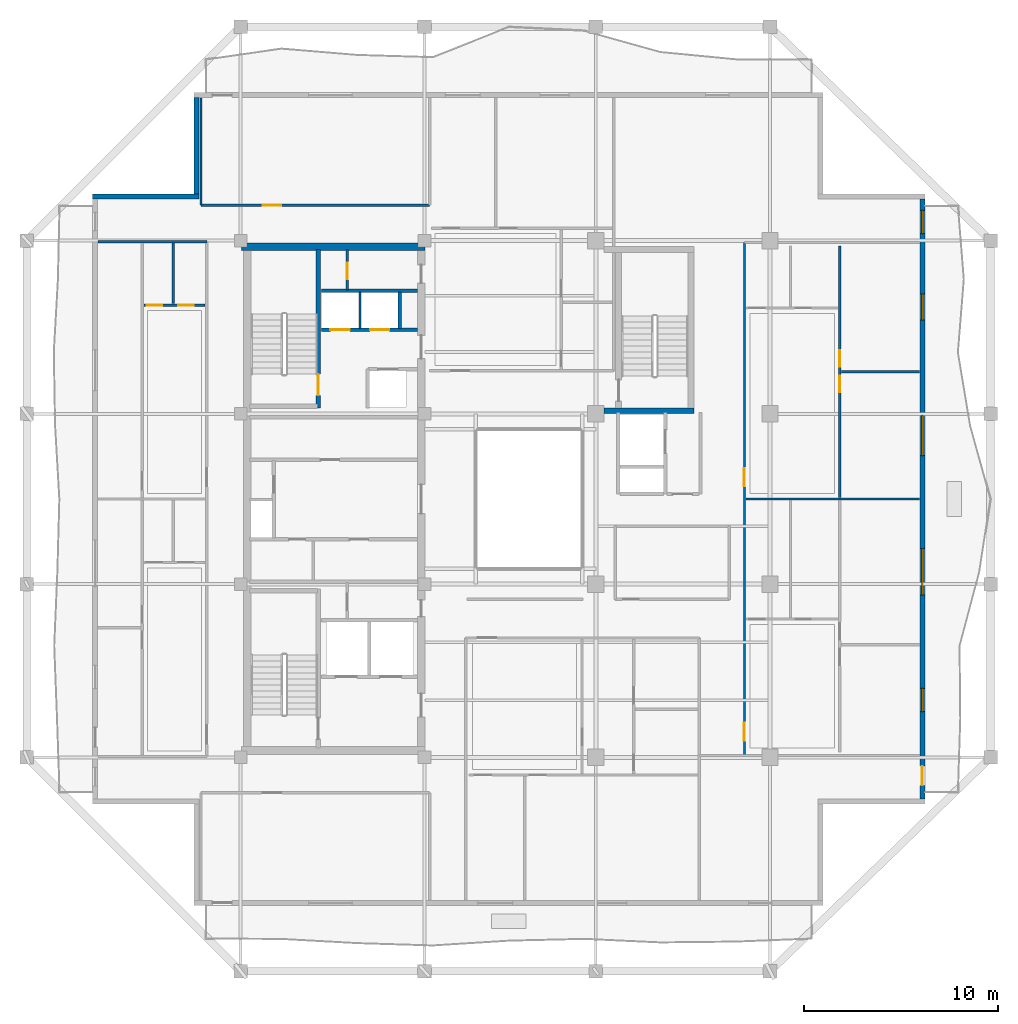
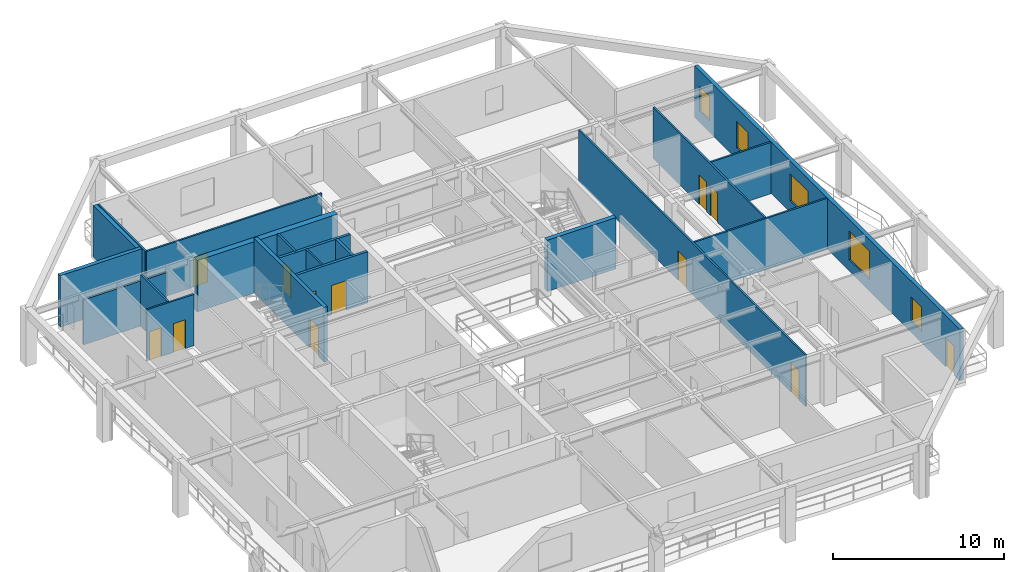
# One storey, part 5 of 11: 20 walls, 12 doors, 5 windows, 17 openings.
"""IFC4 building model written with IfcOpenShell, lengths in metres."""

from ifc_helpers import new_model, si_unit, direction, frame, frame_2d, origin, place, context, subcontext, project, spatial, rectangle, extrude, material, layer, layer_set, type_object, element, fill, save


model = new_model("IFC4")

# Units and contexts
model_context = context("Model", 3, precision=1e-05, world=origin(), true_north=direction((0.0, 1.0)))
body_context = subcontext(model_context, "Body", "Model", "MODEL_VIEW")
ifc_project = project(units=[si_unit("LENGTHUNIT", "METRE"), si_unit("AREAUNIT", "SQUARE_METRE"), si_unit("VOLUMEUNIT", "CUBIC_METRE"), si_unit("PLANEANGLEUNIT", "RADIAN"), si_unit("MASSUNIT", "GRAM", prefix="KILO")], contexts=[model_context])

# Site, building, storey
site_placement = place(None, origin())
site = spatial("IfcSite", under=ifc_project, at=site_placement, CompositionType="ELEMENT")
building_placement = place(site_placement, origin())
building = spatial("IfcBuilding", under=site, at=building_placement, Name="Kundavana Baori Tower", CompositionType="ELEMENT")
storey_placement = place(building_placement, frame((0.0, 0.0, 218.0)))
storey = spatial("IfcBuildingStorey", under=building, at=storey_placement, Name="L53", CompositionType="ELEMENT", Elevation=218.0)

# Wall
ifc_material_1 = material(Name="Concrete C50/60", Category="concrete")
ifc_layer_1 = layer(ifc_material_1, 0.39990234375, Name="WL-CORE-400")
ifc_layer_set_1 = layer_set([ifc_layer_1], Name="Concrete C50/60")
wall_type_1 = type_object("IfcWallType", Name="WL-CORE-400", PredefinedType="SHEAR", material=ifc_layer_set_1)
wall_1_placement = place(storey_placement, frame((15.5, 41.639892578125, 0.0), z_axis=(0.0, 0.0, 1.0), x_axis=(1.0, 0.0, 0.0)))
element("IfcWall", 1, at=wall_1_placement, inside=storey, type_object=wall_type_1, Name="L53 Offset Core North Shear Wall", PredefinedType="SHEAR", context=body_context, shape_type="SweptSolid", body=[
    extrude(rectangle(XDim=9.47998046875, YDim=0.39990234375, at=frame_2d((4.739990234375, 0.0))), origin(), (0.0, 0.0, 1.0), 3.659912109375),
])

# Wall, opening, door
wall_2_placement = place(storey_placement, frame((19.4599609375, 33.300048828125, 0.0), z_axis=(0.0, 0.0, 1.0), x_axis=(0.0, 1.0, 0.0)))
wall_2 = element("IfcWall", 2, at=wall_2_placement, inside=storey, type_object=wall_type_1, Name="WL-L53-ST2-E", PredefinedType="SHEAR", context=body_context, shape_type="SweptSolid", body=[
    extrude(rectangle(XDim=8.179931640625, YDim=0.239990234375, at=frame_2d((4.08984375, 0.0))), origin(), (0.0, 0.0, 1.0), 3.89990234375),
])
opening_1_placement = place(wall_2_placement, frame((0.64990234375, 0.0, 0.0)))
opening_1 = element("IfcOpeningElement", 3, at=opening_1_placement, cuts=wall_2, Name="Opening FD-110", PredefinedType="OPENING", context=body_context, shape_type="SweptSolid", body=[
    extrude(rectangle(XDim=1.10009765625, YDim=2.10009765625, at=frame_2d((0.550048828125, 1.050048828125))), frame((0.0, 0.1298828125, 0.0), z_axis=(0.0, -1.0, 0.0), x_axis=(1.0, 0.0, 0.0)), (0.0, 0.0, 1.0), 0.260009765625),
])
ifc_material_2 = material(Name="Galvanised Steel Fire-Rated Door Leaf", Category="steel")
door_type_1 = type_object("IfcDoorType", Name="DR-FD120-1100", OperationType="NOTDEFINED", PredefinedType="DOOR", material=ifc_material_2)
door_1_placement = place(opening_1_placement, origin())
door_1 = element("IfcDoor", 4, at=door_1_placement, inside=storey, type_object=door_type_1, Name="DR-L53-ST2", OperationType="SINGLE_SWING_RIGHT", OverallHeight=2.10009765625, OverallWidth=1.10009765625, PredefinedType="DOOR", context=body_context, shape_type="SweptSolid", body=[
    extrude(rectangle(XDim=1.10009765625, YDim=2.10009765625, at=frame_2d((0.550048828125, 1.050048828125))), frame((0.0, 0.02490234375, 0.0), z_axis=(0.0, -1.0, 0.0), x_axis=(1.0, 0.0, 0.0)), (0.0, 0.0, 1.0), 0.050048828125),
])
fill(opening_1, door_1)

# Wall, openings, door, windows
ifc_material_3 = material(Name="Kiln-Fired Terracotta Brick-Slip Masonry on Concrete C40/50", Category="masonry")
ifc_layer_2 = layer(ifc_material_3, 0.260009765625, Name="WL-EXT-BRK-260")
ifc_layer_set_2 = layer_set([ifc_layer_2], Name="Kiln-Fired Terracotta Brick-Slip Masonry on Concrete C40/50")
wall_type_2 = type_object("IfcWallType", Name="WL-EXT-BRK-260", PredefinedType="SOLIDWALL", material=ifc_layer_set_2)
wall_3_placement = place(storey_placement, frame((50.669921875, 13.110107421875, 0.0), z_axis=(0.0, 0.0, 1.0), x_axis=(0.0, 1.0, 0.0)))
wall_3 = element("IfcWall", 5, at=wall_3_placement, inside=storey, type_object=wall_type_2, Name="L53 Exterior Insulated Facade Wall 04", PredefinedType="SOLIDWALL", context=body_context, shape_type="SweptSolid", body=[
    extrude(rectangle(XDim=30.97998046875, YDim=0.260009765625, at=frame_2d((15.489990234375, 0.0))), origin(), (0.0, 0.0, 1.0), 3.659912109375),
])
opening_2_placement = place(wall_3_placement, frame((0.68994140625, 0.0, 0.0)))
opening_2 = element("IfcOpeningElement", 6, at=opening_2_placement, cuts=wall_3, Name="Opening BD-1", PredefinedType="OPENING", context=body_context, shape_type="SweptSolid", body=[
    extrude(rectangle(XDim=1.0, YDim=2.050048828125, at=frame_2d((0.5, 1.02490234375))), frame((0.0, 0.14013671875, 0.0), z_axis=(0.0, -1.0, 0.0), x_axis=(1.0, 0.0, 0.0)), (0.0, 0.0, 1.0), 0.280029296875),
])
opening_3_placement = place(wall_3_placement, frame((4.5, 0.0, 0.800048828125)))
opening_3 = element("IfcOpeningElement", 7, at=opening_3_placement, cuts=wall_3, Name="Opening W-03", PredefinedType="OPENING", context=body_context, shape_type="SweptSolid", body=[
    extrude(rectangle(XDim=1.199951171875, YDim=1.75, at=frame_2d((0.60009765625, 0.875))), frame((0.0, 0.14013671875, 0.0), z_axis=(0.0, -1.0, 0.0), x_axis=(1.0, 0.0, 0.0)), (0.0, 0.0, 1.0), 0.280029296875),
])
opening_4_placement = place(wall_3_placement, frame((10.52490234375, 0.0, 0.800048828125)))
opening_4 = element("IfcOpeningElement", 8, at=opening_4_placement, cuts=wall_3, Name="Opening W-04", PredefinedType="OPENING", context=body_context, shape_type="SweptSolid", body=[
    extrude(rectangle(XDim=2.39990234375, YDim=2.050048828125, at=frame_2d((1.199951171875, 1.02490234375))), frame((0.0, 0.14013671875, 0.0), z_axis=(0.0, -1.0, 0.0), x_axis=(1.0, 0.0, 0.0)), (0.0, 0.0, 1.0), 0.280029296875),
])
opening_5_placement = place(wall_3_placement, frame((17.72802734375, 0.0, 0.800048828125)))
opening_5 = element("IfcOpeningElement", 9, at=opening_5_placement, cuts=wall_3, Name="Opening W-05", PredefinedType="OPENING", context=body_context, shape_type="SweptSolid", body=[
    extrude(rectangle(XDim=2.10009765625, YDim=1.949951171875, at=frame_2d((1.050048828125, 0.97509765625))), frame((0.0, 0.14013671875, 0.0), z_axis=(0.0, -1.0, 0.0), x_axis=(1.0, 0.0, 0.0)), (0.0, 0.0, 1.0), 0.280029296875),
])
opening_6_placement = place(wall_3_placement, frame((24.72802734375, 0.0, 0.800048828125)))
opening_6 = element("IfcOpeningElement", 10, at=opening_6_placement, cuts=wall_3, Name="Opening W-07", PredefinedType="OPENING", context=body_context, shape_type="SweptSolid", body=[
    extrude(rectangle(XDim=1.35009765625, YDim=1.89990234375, at=frame_2d((0.675048828125, 0.949951171875))), frame((0.0, 0.14013671875, 0.0), z_axis=(0.0, -1.0, 0.0), x_axis=(1.0, 0.0, 0.0)), (0.0, 0.0, 1.0), 0.280029296875),
])
opening_7_placement = place(wall_3_placement, frame((29.205078125, 0.0, 0.800048828125)))
opening_7 = element("IfcOpeningElement", 11, at=opening_7_placement, cuts=wall_3, Name="Opening W-03", PredefinedType="OPENING", context=body_context, shape_type="SweptSolid", body=[
    extrude(rectangle(XDim=1.199951171875, YDim=1.75, at=frame_2d((0.60009765625, 0.875))), frame((0.0, 0.14013671875, 0.0), z_axis=(0.0, -1.0, 0.0), x_axis=(1.0, 0.0, 0.0)), (0.0, 0.0, 1.0), 0.280029296875),
])
ifc_material_4 = material(Name="Architectural Patinated Bronze Metalwork")
door_type_2 = type_object("IfcDoorType", Name="DR-EXT-LOG-1000", OperationType="NOTDEFINED", PredefinedType="DOOR", material=ifc_material_4)
door_2_placement = place(opening_2_placement, frame((1.0, 0.0, 0.0), z_axis=(0.0, 0.0, 1.0), x_axis=(-1.0, 0.0, 0.0)))
door_2 = element("IfcDoor", 12, at=door_2_placement, inside=storey, type_object=door_type_2, Name="L53 Loggia Balcony Access Door E", OperationType="SINGLE_SWING_RIGHT", OverallHeight=2.050048828125, OverallWidth=1.0, PredefinedType="DOOR", context=body_context, shape_type="SweptSolid", body=[
    extrude(rectangle(XDim=1.0, YDim=2.050048828125, at=frame_2d((0.5, 1.02490234375))), frame((0.0, 0.02490234375, 0.0), z_axis=(0.0, -1.0, 0.0), x_axis=(1.0, 0.0, 0.0)), (0.0, 0.0, 1.0), 0.050048828125),
])
fill(opening_2, door_2)
ifc_material_5 = material(Name="Double-Glazed Solar-Control Low-E Insulated Glass", Category="glass")
window_type_1 = type_object("IfcWindowType", Name="WIN-LOG-1200x1750", PartitioningType="SINGLE_PANEL", PredefinedType="WINDOW", material=ifc_material_5)
window_1_placement = place(opening_3_placement, origin())
window_1 = element("IfcWindow", 13, at=window_1_placement, inside=storey, type_object=window_type_1, Name="L53 Recessed Loggia Window E-2", OverallHeight=1.75, OverallWidth=1.199951171875, PartitioningType="SINGLE_PANEL", PredefinedType="WINDOW", context=body_context, shape_type="SweptSolid", body=[
    extrude(rectangle(XDim=1.199951171875, YDim=1.75, at=frame_2d((0.60009765625, 0.875))), frame((0.0, 0.030029296875, 0.0), z_axis=(0.0, -1.0, 0.0), x_axis=(1.0, 0.0, 0.0)), (0.0, 0.0, 1.0), 0.06005859375),
])
fill(opening_3, window_1)
window_2_placement = place(opening_7_placement, origin())
window_2 = element("IfcWindow", 14, at=window_2_placement, inside=storey, type_object=window_type_1, Name="L53 Recessed Loggia Window E-6", OverallHeight=1.75, OverallWidth=1.199951171875, PartitioningType="SINGLE_PANEL", PredefinedType="WINDOW", context=body_context, shape_type="SweptSolid", body=[
    extrude(rectangle(XDim=1.199951171875, YDim=1.75, at=frame_2d((0.60009765625, 0.875))), frame((0.0, 0.030029296875, 0.0), z_axis=(0.0, -1.0, 0.0), x_axis=(1.0, 0.0, 0.0)), (0.0, 0.0, 1.0), 0.06005859375),
])
fill(opening_7, window_2)
ifc_material_6 = material(Name="Double-Glazed Solar-Control Low-E Insulated Glass", Category="glass")
window_type_2 = type_object("IfcWindowType", Name="WIN-LOG-1350x1900", PartitioningType="SINGLE_PANEL", PredefinedType="WINDOW", material=ifc_material_6)
window_3_placement = place(opening_6_placement, origin())
window_3 = element("IfcWindow", 15, at=window_3_placement, inside=storey, type_object=window_type_2, Name="L53 Recessed Loggia Window E-5", OverallHeight=1.89990234375, OverallWidth=1.35009765625, PartitioningType="SINGLE_PANEL", PredefinedType="WINDOW", context=body_context, shape_type="SweptSolid", body=[
    extrude(rectangle(XDim=1.35009765625, YDim=1.89990234375, at=frame_2d((0.675048828125, 0.949951171875))), frame((0.0, 0.030029296875, 0.0), z_axis=(0.0, -1.0, 0.0), x_axis=(1.0, 0.0, 0.0)), (0.0, 0.0, 1.0), 0.06005859375),
])
fill(opening_6, window_3)
ifc_material_7 = material(Name="Double-Glazed Solar-Control Low-E Insulated Glass", Category="glass")
window_type_3 = type_object("IfcWindowType", Name="WIN-LOG-2100x1950", PartitioningType="SINGLE_PANEL", PredefinedType="WINDOW", material=ifc_material_7)
window_4_placement = place(opening_5_placement, origin())
window_4 = element("IfcWindow", 16, at=window_4_placement, inside=storey, type_object=window_type_3, Name="L53 Recessed Loggia Window E-4", OverallHeight=1.949951171875, OverallWidth=2.10009765625, PartitioningType="SINGLE_PANEL", PredefinedType="WINDOW", context=body_context, shape_type="SweptSolid", body=[
    extrude(rectangle(XDim=2.10009765625, YDim=1.949951171875, at=frame_2d((1.050048828125, 0.97509765625))), frame((0.0, 0.030029296875, 0.0), z_axis=(0.0, -1.0, 0.0), x_axis=(1.0, 0.0, 0.0)), (0.0, 0.0, 1.0), 0.06005859375),
])
fill(opening_5, window_4)
ifc_material_8 = material(Name="Double-Glazed Solar-Control Low-E Insulated Glass", Category="glass")
window_type_4 = type_object("IfcWindowType", Name="WIN-LOG-2400x2050", PartitioningType="SINGLE_PANEL", PredefinedType="WINDOW", material=ifc_material_8)
window_5_placement = place(opening_4_placement, origin())
window_5 = element("IfcWindow", 17, at=window_5_placement, inside=storey, type_object=window_type_4, Name="L53 Recessed Loggia Window E-3", OverallHeight=2.050048828125, OverallWidth=2.39990234375, PartitioningType="SINGLE_PANEL", PredefinedType="WINDOW", context=body_context, shape_type="SweptSolid", body=[
    extrude(rectangle(XDim=2.39990234375, YDim=2.050048828125, at=frame_2d((1.199951171875, 1.02490234375))), frame((0.0, 0.030029296875, 0.0), z_axis=(0.0, -1.0, 0.0), x_axis=(1.0, 0.0, 0.0)), (0.0, 0.0, 1.0), 0.06005859375),
])
fill(opening_4, window_5)

# Walls
wall_4_placement = place(storey_placement, frame((13.179931640625, 49.340087890625, 0.0), z_axis=(0.0, 0.0, 1.0), x_axis=(0.0, -1.0, 0.0)))
element("IfcWall", 18, at=wall_4_placement, inside=storey, type_object=wall_type_2, Name="L53 Exterior Insulated Facade Wall 08", PredefinedType="SOLIDWALL", context=body_context, shape_type="SweptSolid", body=[
    extrude(rectangle(XDim=4.989990234375, YDim=0.260009765625, at=frame_2d((2.4951171875, 0.0))), origin(), (0.0, 0.0, 1.0), 3.659912109375),
])
wall_5_placement = place(storey_placement, frame((13.31005859375, 44.219970703125, 0.0), z_axis=(0.0, 0.0, 1.0), x_axis=(-1.0, 0.0, 0.0)))
element("IfcWall", 19, at=wall_5_placement, inside=storey, type_object=wall_type_2, Name="L53 Exterior Insulated Facade Wall 09", PredefinedType="SOLIDWALL", context=body_context, shape_type="SweptSolid", body=[
    extrude(rectangle(XDim=5.510009765625, YDim=0.260009765625, at=frame_2d((2.7548828125, 0.0))), origin(), (0.0, 0.0, 1.0), 3.659912109375),
])
ifc_material_9 = material(Name="Acoustic Gypsum Plasterboard on Galvanised Steel Studs", Category="steel")
ifc_layer_3 = layer(ifc_material_9, 0.1201171875, Name="WL-PART-120")
ifc_layer_set_3 = layer_set([ifc_layer_3], Name="Acoustic Gypsum Plasterboard on Galvanised Steel Studs")
wall_type_3 = type_object("IfcWallType", Name="WL-PART-120", PredefinedType="PARTITIONING", material=ifc_layer_set_3)
wall_6_placement = place(storey_placement, frame((21.6201171875, 37.39990234375, 0.0), z_axis=(0.0, 0.0, 1.0), x_axis=(0.0, 1.0, 0.0)))
element("IfcWall", 20, at=wall_6_placement, inside=storey, type_object=wall_type_3, Name="WL-L53-HR-DIV1", PredefinedType="PARTITIONING", context=body_context, shape_type="SweptSolid", body=[
    extrude(rectangle(XDim=1.900146484375, YDim=0.1201171875, at=frame_2d((0.9501953125, 0.0))), origin(), (0.0, 0.0, 1.0), 3.659912109375),
])

# Wall, opening, door
wall_7_placement = place(storey_placement, frame((20.949951171875, 39.39990234375, 0.0), z_axis=(0.0, 0.0, 1.0), x_axis=(0.0, 1.0, 0.0)))
wall_7 = element("IfcWall", 21, at=wall_7_placement, inside=storey, type_object=wall_type_3, Name="WL-L53-CSRV-D2", PredefinedType="PARTITIONING", context=body_context, shape_type="SweptSolid", body=[
    extrude(rectangle(XDim=2.080078125, YDim=0.1201171875, at=frame_2d((1.0400390625, 0.0))), origin(), (0.0, 0.0, 1.0), 3.659912109375),
])
opening_8_placement = place(wall_7_placement, frame((0.550048828125, 0.0, 0.0)))
opening_8 = element("IfcOpeningElement", 22, at=opening_8_placement, cuts=wall_7, Name="Opening FD-085", PredefinedType="OPENING", context=body_context, shape_type="SweptSolid", body=[
    extrude(rectangle(XDim=0.85009765625, YDim=2.06005859375, at=frame_2d((0.425048828125, 1.030029296875))), frame((0.0, 0.070068359375, 0.0), z_axis=(0.0, -1.0, 0.0), x_axis=(1.0, 0.0, 0.0)), (0.0, 0.0, 1.0), 0.14013671875),
])
ifc_material_10 = material(Name="Galvanised Steel Fire-Rated Door Leaf", Category="steel")
door_type_3 = type_object("IfcDoorType", Name="DR-FD60-850", OperationType="NOTDEFINED", PredefinedType="DOOR", material=ifc_material_10)
door_3_placement = place(opening_8_placement, origin())
door_3 = element("IfcDoor", 23, at=door_3_placement, inside=storey, type_object=door_type_3, Name="DR-L53-CSRV1", OperationType="SINGLE_SWING_RIGHT", OverallHeight=2.06005859375, OverallWidth=0.85009765625, PredefinedType="DOOR", context=body_context, shape_type="SweptSolid", body=[
    extrude(rectangle(XDim=0.85009765625, YDim=2.06005859375, at=frame_2d((0.425048828125, 1.030029296875))), frame((0.0, 0.02490234375, 0.0), z_axis=(0.0, -1.0, 0.0), x_axis=(1.0, 0.0, 0.0)), (0.0, 0.0, 1.0), 0.050048828125),
])
fill(opening_8, door_3)

wall_8_placement = place(storey_placement, frame((13.39990234375, 43.780029296875, 0.0), z_axis=(0.0, 0.0, 1.0), x_axis=(1.0, 0.0, 0.0)))
wall_8 = element("IfcWall", 24, at=wall_8_placement, inside=storey, type_object=wall_type_3, Name="WL-L53-RNC", PredefinedType="PARTITIONING", context=body_context, shape_type="SweptSolid", body=[
    extrude(rectangle(XDim=11.820068359375, YDim=0.1201171875, at=frame_2d((5.91015625, 0.0))), origin(), (0.0, 0.0, 1.0), 3.659912109375),
])
opening_9_placement = place(wall_8_placement, frame((3.199951171875, 0.0, 0.0)))
opening_9 = element("IfcOpeningElement", 25, at=opening_9_placement, cuts=wall_8, Name="Opening ID-095", PredefinedType="OPENING", context=body_context, shape_type="SweptSolid", body=[
    extrude(rectangle(XDim=0.949951171875, YDim=2.080078125, at=frame_2d((0.47509765625, 1.0400390625))), frame((0.0, 0.070068359375, 0.0), z_axis=(0.0, -1.0, 0.0), x_axis=(1.0, 0.0, 0.0)), (0.0, 0.0, 1.0), 0.14013671875),
])
ifc_material_11 = material(Name="Engineered Teak Solid-Core Timber Veneer", Category="wood")
door_type_4 = type_object("IfcDoorType", Name="DR-INT-950", OperationType="NOTDEFINED", PredefinedType="DOOR", material=ifc_material_11)
door_4_placement = place(opening_9_placement, origin())
door_4 = element("IfcDoor", 26, at=door_4_placement, inside=storey, type_object=door_type_4, Name="DR-L53-RMNW", OperationType="SINGLE_SWING_RIGHT", OverallHeight=2.080078125, OverallWidth=0.949951171875, PredefinedType="DOOR", context=body_context, shape_type="SweptSolid", body=[
    extrude(rectangle(XDim=0.949951171875, YDim=2.080078125, at=frame_2d((0.47509765625, 1.0400390625))), frame((0.0, 0.02490234375, 0.0), z_axis=(0.0, -1.0, 0.0), x_axis=(1.0, 0.0, 0.0)), (0.0, 0.0, 1.0), 0.050048828125),
])
fill(opening_9, door_4)

# Walls
wall_9_placement = place(storey_placement, frame((13.39990234375, 43.780029296875, 0.0), z_axis=(0.0, 0.0, 1.0), x_axis=(0.0, 1.0, 0.0)))
element("IfcWall", 27, at=wall_9_placement, inside=storey, type_object=wall_type_3, Name="WL-L53-RNCW", PredefinedType="PARTITIONING", context=body_context, shape_type="SweptSolid", body=[
    extrude(rectangle(XDim=5.5400390625, YDim=0.1201171875, at=frame_2d((2.77001953125, 0.0))), origin(), (0.0, 0.0, 1.0), 3.659912109375),
])
wall_10_placement = place(storey_placement, frame((8.080078125, 41.89990234375, 0.0), z_axis=(0.0, 0.0, 1.0), x_axis=(1.0, 0.0, 0.0)))
element("IfcWall", 28, at=wall_10_placement, inside=storey, type_object=wall_type_3, Name="WL-L53-RWN", PredefinedType="PARTITIONING", context=body_context, shape_type="SweptSolid", body=[
    extrude(rectangle(XDim=5.619873046875, YDim=0.1201171875, at=frame_2d((2.81005859375, 0.0))), origin(), (0.0, 0.0, 1.0), 3.2099609375),
])

# Wall, openings, doors
wall_11_placement = place(storey_placement, frame((41.47998046875, 15.35009765625, 0.0), z_axis=(0.0, 0.0, 1.0), x_axis=(0.0, 1.0, 0.0)))
wall_11 = element("IfcWall", 29, at=wall_11_placement, inside=storey, type_object=wall_type_3, Name="WL-L53-RE", PredefinedType="PARTITIONING", context=body_context, shape_type="SweptSolid", body=[
    extrude(rectangle(XDim=26.5, YDim=0.1201171875, at=frame_2d((13.25, 0.0))), origin(), (0.0, 0.0, 1.0), 3.659912109375),
])
opening_10_placement = place(wall_11_placement, frame((0.75, 0.0, 0.0)))
opening_10 = element("IfcOpeningElement", 30, at=opening_10_placement, cuts=wall_11, Name="Opening FD-095", PredefinedType="OPENING", context=body_context, shape_type="SweptSolid", body=[
    extrude(rectangle(XDim=0.949951171875, YDim=2.10009765625, at=frame_2d((0.47509765625, 1.050048828125))), frame((0.0, 0.070068359375, 0.0), z_axis=(0.0, -1.0, 0.0), x_axis=(1.0, 0.0, 0.0)), (0.0, 0.0, 1.0), 0.14013671875),
])
opening_11_placement = place(wall_11_placement, frame((13.89990234375, 0.0, 0.0)))
opening_11 = element("IfcOpeningElement", 31, at=opening_11_placement, cuts=wall_11, Name="Opening FD-095", PredefinedType="OPENING", context=body_context, shape_type="SweptSolid", body=[
    extrude(rectangle(XDim=0.949951171875, YDim=2.10009765625, at=frame_2d((0.47509765625, 1.050048828125))), frame((0.0, 0.070068359375, 0.0), z_axis=(0.0, -1.0, 0.0), x_axis=(1.0, 0.0, 0.0)), (0.0, 0.0, 1.0), 0.14013671875),
])
ifc_material_12 = material(Name="Engineered Teak Fire-Rated Timber Door Leaf", Category="wood")
door_type_5 = type_object("IfcDoorType", Name="DR-FD60-950", OperationType="NOTDEFINED", PredefinedType="DOOR", material=ifc_material_12)
door_5_placement = place(opening_10_placement, origin())
door_5 = element("IfcDoor", 32, at=door_5_placement, inside=storey, type_object=door_type_5, Name="DR-L53-E1-ENT", OperationType="SINGLE_SWING_LEFT", OverallHeight=2.10009765625, OverallWidth=0.949951171875, PredefinedType="DOOR", context=body_context, shape_type="SweptSolid", body=[
    extrude(rectangle(XDim=0.949951171875, YDim=2.10009765625, at=frame_2d((0.47509765625, 1.050048828125))), frame((0.0, 0.02490234375, 0.0), z_axis=(0.0, -1.0, 0.0), x_axis=(1.0, 0.0, 0.0)), (0.0, 0.0, 1.0), 0.050048828125),
])
fill(opening_10, door_5)
door_6_placement = place(opening_11_placement, origin())
door_6 = element("IfcDoor", 33, at=door_6_placement, inside=storey, type_object=door_type_5, Name="DR-L53-E2-ENT", OperationType="SINGLE_SWING_LEFT", OverallHeight=2.10009765625, OverallWidth=0.949951171875, PredefinedType="DOOR", context=body_context, shape_type="SweptSolid", body=[
    extrude(rectangle(XDim=0.949951171875, YDim=2.10009765625, at=frame_2d((0.47509765625, 1.050048828125))), frame((0.0, 0.02490234375, 0.0), z_axis=(0.0, -1.0, 0.0), x_axis=(1.0, 0.0, 0.0)), (0.0, 0.0, 1.0), 0.050048828125),
])
fill(opening_11, door_6)

# Wall
wall_12_placement = place(storey_placement, frame((41.56005859375, 28.60009765625, 0.0), z_axis=(0.0, 0.0, 1.0), x_axis=(1.0, 0.0, 0.0)))
element("IfcWall", 34, at=wall_12_placement, inside=storey, type_object=wall_type_3, Name="WL-L53-RED1", PredefinedType="PARTITIONING", context=body_context, shape_type="SweptSolid", body=[
    extrude(rectangle(XDim=8.9599609375, YDim=0.1201171875, at=frame_2d((4.47998046875, 0.0))), origin(), (0.0, 0.0, 1.0), 3.659912109375),
])

# Wall, openings, doors
wall_13_placement = place(storey_placement, frame((46.407958984375, 28.679931640625, 0.0), z_axis=(0.0, 0.0, 1.0), x_axis=(0.0, 1.0, 0.0)))
wall_13 = element("IfcWall", 35, at=wall_13_placement, inside=storey, type_object=wall_type_3, Name="WL-L53-E2-VT", PredefinedType="PARTITIONING", context=body_context, shape_type="SweptSolid", body=[
    extrude(rectangle(XDim=12.989990234375, YDim=0.1201171875, at=frame_2d((6.4951171875, 0.0))), origin(), (0.0, 0.0, 1.0), 3.659912109375),
])
opening_12_placement = place(wall_13_placement, frame((5.445068359375, 0.0, 0.0)))
opening_12 = element("IfcOpeningElement", 36, at=opening_12_placement, cuts=wall_13, Name="Opening ID-085", PredefinedType="OPENING", context=body_context, shape_type="SweptSolid", body=[
    extrude(rectangle(XDim=0.85009765625, YDim=2.080078125, at=frame_2d((0.425048828125, 1.0400390625))), frame((0.0, 0.070068359375, 0.0), z_axis=(0.0, -1.0, 0.0), x_axis=(1.0, 0.0, 0.0)), (0.0, 0.0, 1.0), 0.14013671875),
])
opening_13_placement = place(wall_13_placement, frame((6.7451171875, 0.0, 0.0)))
opening_13 = element("IfcOpeningElement", 37, at=opening_13_placement, cuts=wall_13, Name="Opening ID-085", PredefinedType="OPENING", context=body_context, shape_type="SweptSolid", body=[
    extrude(rectangle(XDim=0.85009765625, YDim=2.080078125, at=frame_2d((0.425048828125, 1.0400390625))), frame((0.0, 0.070068359375, 0.0), z_axis=(0.0, -1.0, 0.0), x_axis=(1.0, 0.0, 0.0)), (0.0, 0.0, 1.0), 0.14013671875),
])
ifc_material_13 = material(Name="Engineered Teak Solid-Core Timber Veneer", Category="wood")
door_type_6 = type_object("IfcDoorType", Name="DR-INT-850", OperationType="NOTDEFINED", PredefinedType="DOOR", material=ifc_material_13)
door_7_placement = place(opening_12_placement, origin())
door_7 = element("IfcDoor", 38, at=door_7_placement, inside=storey, type_object=door_type_6, Name="DR-L53-E2-B1", OperationType="SINGLE_SWING_LEFT", OverallHeight=2.080078125, OverallWidth=0.85009765625, PredefinedType="DOOR", context=body_context, shape_type="SweptSolid", body=[
    extrude(rectangle(XDim=0.85009765625, YDim=2.080078125, at=frame_2d((0.425048828125, 1.0400390625))), frame((0.0, 0.02490234375, 0.0), z_axis=(0.0, -1.0, 0.0), x_axis=(1.0, 0.0, 0.0)), (0.0, 0.0, 1.0), 0.050048828125),
])
fill(opening_12, door_7)
door_8_placement = place(opening_13_placement, origin())
door_8 = element("IfcDoor", 39, at=door_8_placement, inside=storey, type_object=door_type_6, Name="DR-L53-E2-B2", OperationType="SINGLE_SWING_RIGHT", OverallHeight=2.080078125, OverallWidth=0.85009765625, PredefinedType="DOOR", context=body_context, shape_type="SweptSolid", body=[
    extrude(rectangle(XDim=0.85009765625, YDim=2.080078125, at=frame_2d((0.425048828125, 1.0400390625))), frame((0.0, 0.02490234375, 0.0), z_axis=(0.0, -1.0, 0.0), x_axis=(1.0, 0.0, 0.0)), (0.0, 0.0, 1.0), 0.050048828125),
])
fill(opening_13, door_8)

# Wall
wall_14_placement = place(storey_placement, frame((46.488037109375, 35.175048828125, 0.0), z_axis=(0.0, 0.0, 1.0), x_axis=(1.0, 0.0, 0.0)))
element("IfcWall", 40, at=wall_14_placement, inside=storey, type_object=wall_type_3, Name="WL-L53-E2-BDH", PredefinedType="PARTITIONING", context=body_context, shape_type="SweptSolid", body=[
    extrude(rectangle(XDim=4.031982421875, YDim=0.1201171875, at=frame_2d((2.01611328125, 0.0))), origin(), (0.0, 0.0, 1.0), 3.659912109375),
])

# Wall, openings, doors
ifc_material_14 = material(Name="Autoclaved Aerated Concrete Blockwork Masonry", Category="masonry")
ifc_layer_4 = layer(ifc_material_14, 0.179931640625, Name="WL-SHAFT-180")
ifc_layer_set_4 = layer_set([ifc_layer_4], Name="Autoclaved Aerated Concrete Blockwork Masonry")
wall_type_4 = type_object("IfcWallType", Name="WL-SHAFT-180", PredefinedType="SOLIDWALL", material=ifc_layer_set_4)
wall_15_placement = place(storey_placement, frame((19.639892578125, 37.340087890625, 0.0), z_axis=(0.0, 0.0, 1.0), x_axis=(1.0, 0.0, 0.0)))
wall_15 = element("IfcWall", 41, at=wall_15_placement, inside=storey, type_object=wall_type_4, Name="WL-L53-HRLOB-N", PredefinedType="SOLIDWALL", context=body_context, shape_type="SweptSolid", body=[
    extrude(rectangle(XDim=4.940185546875, YDim=0.179931640625, at=frame_2d((2.47021484375, 0.0))), origin(), (0.0, 0.0, 1.0), 3.659912109375),
])
opening_14_placement = place(wall_15_placement, frame((0.449951171875, 0.0, 0.0)))
opening_14 = element("IfcOpeningElement", 42, at=opening_14_placement, cuts=wall_15, Name="Opening LD-100", PredefinedType="OPENING", context=body_context, shape_type="SweptSolid", body=[
    extrude(rectangle(XDim=1.0, YDim=2.10009765625, at=frame_2d((0.5, 1.050048828125))), frame((0.0, 0.10009765625, 0.0), z_axis=(0.0, -1.0, 0.0), x_axis=(1.0, 0.0, 0.0)), (0.0, 0.0, 1.0), 0.199951171875),
])
opening_15_placement = place(wall_15_placement, frame((2.5, 0.0, 0.0)))
opening_15 = element("IfcOpeningElement", 43, at=opening_15_placement, cuts=wall_15, Name="Opening LD-100", PredefinedType="OPENING", context=body_context, shape_type="SweptSolid", body=[
    extrude(rectangle(XDim=1.0, YDim=2.10009765625, at=frame_2d((0.5, 1.050048828125))), frame((0.0, 0.10009765625, 0.0), z_axis=(0.0, -1.0, 0.0), x_axis=(1.0, 0.0, 0.0)), (0.0, 0.0, 1.0), 0.199951171875),
])
ifc_material_15 = material(Name="Galvanised Steel Fire-Rated Door Leaf", Category="steel")
door_type_7 = type_object("IfcDoorType", Name="DR-SLIDE-LD1000", OperationType="NOTDEFINED", PredefinedType="DOOR", material=ifc_material_15)
door_9_placement = place(opening_14_placement, frame((1.0, 0.0, 0.0), z_axis=(0.0, 0.0, 1.0), x_axis=(-1.0, 0.0, 0.0)))
door_9 = element("IfcDoor", 44, at=door_9_placement, inside=storey, type_object=door_type_7, Name="DR-L53-LD-LP09", OperationType="DOUBLE_DOOR_SLIDING", OverallHeight=2.10009765625, OverallWidth=1.0, PredefinedType="DOOR", context=body_context, shape_type="SweptSolid", body=[
    extrude(rectangle(XDim=1.0, YDim=2.10009765625, at=frame_2d((0.5, 1.050048828125))), frame((0.0, 0.02490234375, 0.0), z_axis=(0.0, -1.0, 0.0), x_axis=(1.0, 0.0, 0.0)), (0.0, 0.0, 1.0), 0.050048828125),
])
fill(opening_14, door_9)
door_10_placement = place(opening_15_placement, frame((1.0, 0.0, 0.0), z_axis=(0.0, 0.0, 1.0), x_axis=(-1.0, 0.0, 0.0)))
door_10 = element("IfcDoor", 45, at=door_10_placement, inside=storey, type_object=door_type_7, Name="DR-L53-LD-LP10", OperationType="DOUBLE_DOOR_SLIDING", OverallHeight=2.10009765625, OverallWidth=1.0, PredefinedType="DOOR", context=body_context, shape_type="SweptSolid", body=[
    extrude(rectangle(XDim=1.0, YDim=2.10009765625, at=frame_2d((0.5, 1.050048828125))), frame((0.0, 0.02490234375, 0.0), z_axis=(0.0, -1.0, 0.0), x_axis=(1.0, 0.0, 0.0)), (0.0, 0.0, 1.0), 0.050048828125),
])
fill(opening_15, door_10)

# Walls
wall_16_placement = place(storey_placement, frame((19.639892578125, 39.360107421875, 0.0), z_axis=(0.0, 0.0, 1.0), x_axis=(1.0, 0.0, 0.0)))
element("IfcWall", 46, at=wall_16_placement, inside=storey, type_object=wall_type_4, Name="WL-L53-HRLOB-TOP", PredefinedType="SOLIDWALL", context=body_context, shape_type="SweptSolid", body=[
    extrude(rectangle(XDim=4.940185546875, YDim=0.179931640625, at=frame_2d((2.47021484375, 0.0))), origin(), (0.0, 0.0, 1.0), 3.659912109375),
])
wall_17_placement = place(storey_placement, frame((23.659912109375, 37.39990234375, 0.0), z_axis=(0.0, 0.0, 1.0), x_axis=(0.0, 1.0, 0.0)))
element("IfcWall", 47, at=wall_17_placement, inside=storey, type_object=wall_type_4, Name="WL-L53-HR-DIV2", PredefinedType="SOLIDWALL", context=body_context, shape_type="SweptSolid", body=[
    extrude(rectangle(XDim=1.900146484375, YDim=0.179931640625, at=frame_2d((0.9501953125, 0.0))), origin(), (0.0, 0.0, 1.0), 3.659912109375),
])
ifc_material_16 = material(Name="Concrete C50/60", Category="concrete")
ifc_layer_5 = layer(ifc_material_16, 0.300048828125, Name="WL-ST3-300")
ifc_layer_set_5 = layer_set([ifc_layer_5], Name="Concrete C50/60")
wall_type_5 = type_object("IfcWallType", Name="WL-ST3-300", PredefinedType="SHEAR", material=ifc_layer_set_5)
wall_18_placement = place(storey_placement, frame((34.22509765625, 33.159912109375, 0.0), z_axis=(0.0, 0.0, 1.0), x_axis=(1.0, 0.0, 0.0)))
element("IfcWall", 48, at=wall_18_placement, inside=storey, type_object=wall_type_5, Name="L53 Stair ST3 South Shear Wall", PredefinedType="SHEAR", context=body_context, shape_type="SweptSolid", body=[
    extrude(rectangle(XDim=4.64501953125, YDim=0.300048828125, at=frame_2d((2.322509765625, 0.0))), origin(), (0.0, 0.0, 1.0), 3.659912109375),
])

# Wall, openings, doors
ifc_material_17 = material(Name="Autoclaved Aerated Concrete Blockwork Masonry", Category="masonry")
ifc_layer_6 = layer(ifc_material_17, 0.125, Name="WL-WET-120")
ifc_layer_set_6 = layer_set([ifc_layer_6], Name="Autoclaved Aerated Concrete Blockwork Masonry")
wall_type_6 = type_object("IfcWallType", Name="WL-WET-120", PredefinedType="PLUMBINGWALL", material=ifc_layer_set_6)
wall_19_placement = place(storey_placement, frame((10.449951171875, 38.6201171875, 0.0), z_axis=(0.0, 0.0, 1.0), x_axis=(1.0, 0.0, 0.0)))
wall_19 = element("IfcWall", 49, at=wall_19_placement, inside=storey, type_object=wall_type_6, Name="WL-L53-W2-KH", PredefinedType="PLUMBINGWALL", context=body_context, shape_type="SweptSolid", body=[
    extrude(rectangle(XDim=3.170166015625, YDim=0.125, at=frame_2d((1.5849609375, 0.0))), origin(), (0.0, 0.0, 1.0), 3.659912109375),
])
opening_16_placement = place(wall_19_placement, frame((0.159912109375, 0.0, 0.0)))
opening_16 = element("IfcOpeningElement", 50, at=opening_16_placement, cuts=wall_19, Name="Opening WD-080", PredefinedType="OPENING", context=body_context, shape_type="SweptSolid", body=[
    extrude(rectangle(XDim=0.800048828125, YDim=2.050048828125, at=frame_2d((0.39990234375, 1.02490234375))), frame((0.0, 0.072509765625, 0.0), z_axis=(0.0, -1.0, 0.0), x_axis=(1.0, 0.0, 0.0)), (0.0, 0.0, 1.0), 0.14501953125),
])
opening_17_placement = place(wall_19_placement, frame((1.781982421875, 0.0, 0.0)))
opening_17 = element("IfcOpeningElement", 51, at=opening_17_placement, cuts=wall_19, Name="Opening WD-080", PredefinedType="OPENING", context=body_context, shape_type="SweptSolid", body=[
    extrude(rectangle(XDim=0.800048828125, YDim=2.050048828125, at=frame_2d((0.39990234375, 1.02490234375))), frame((0.0, 0.072509765625, 0.0), z_axis=(0.0, -1.0, 0.0), x_axis=(1.0, 0.0, 0.0)), (0.0, 0.0, 1.0), 0.14501953125),
])
ifc_material_18 = material(Name="Engineered Teak Solid-Core Timber Veneer", Category="wood")
door_type_8 = type_object("IfcDoorType", Name="DR-WET-800", OperationType="NOTDEFINED", PredefinedType="DOOR", material=ifc_material_18)
door_11_placement = place(opening_16_placement, origin())
door_11 = element("IfcDoor", 52, at=door_11_placement, inside=storey, type_object=door_type_8, Name="DR-L53-W2-BT", OperationType="SINGLE_SWING_LEFT", OverallHeight=2.050048828125, OverallWidth=0.800048828125, PredefinedType="DOOR", context=body_context, shape_type="SweptSolid", body=[
    extrude(rectangle(XDim=0.800048828125, YDim=2.050048828125, at=frame_2d((0.39990234375, 1.02490234375))), frame((0.0, 0.02490234375, 0.0), z_axis=(0.0, -1.0, 0.0), x_axis=(1.0, 0.0, 0.0)), (0.0, 0.0, 1.0), 0.050048828125),
])
fill(opening_16, door_11)
door_12_placement = place(opening_17_placement, origin())
door_12 = element("IfcDoor", 53, at=door_12_placement, inside=storey, type_object=door_type_8, Name="DR-L53-W2-KT", OperationType="SINGLE_SWING_RIGHT", OverallHeight=2.050048828125, OverallWidth=0.800048828125, PredefinedType="DOOR", context=body_context, shape_type="SweptSolid", body=[
    extrude(rectangle(XDim=0.800048828125, YDim=2.050048828125, at=frame_2d((0.39990234375, 1.02490234375))), frame((0.0, 0.02490234375, 0.0), z_axis=(0.0, -1.0, 0.0), x_axis=(1.0, 0.0, 0.0)), (0.0, 0.0, 1.0), 0.050048828125),
])
fill(opening_17, door_12)

# Wall
wall_20_placement = place(storey_placement, frame((11.971923828125, 38.699951171875, 0.0), z_axis=(0.0, 0.0, 1.0), x_axis=(0.0, 1.0, 0.0)))
element("IfcWall", 54, at=wall_20_placement, inside=storey, type_object=wall_type_6, Name="WL-L53-W2-BV", PredefinedType="PLUMBINGWALL", context=body_context, shape_type="SweptSolid", body=[
    extrude(rectangle(XDim=3.1201171875, YDim=0.125, at=frame_2d((1.56005859375, 0.0))), origin(), (0.0, 0.0, 1.0), 3.659912109375),
])

save(model, "model.ifc")
